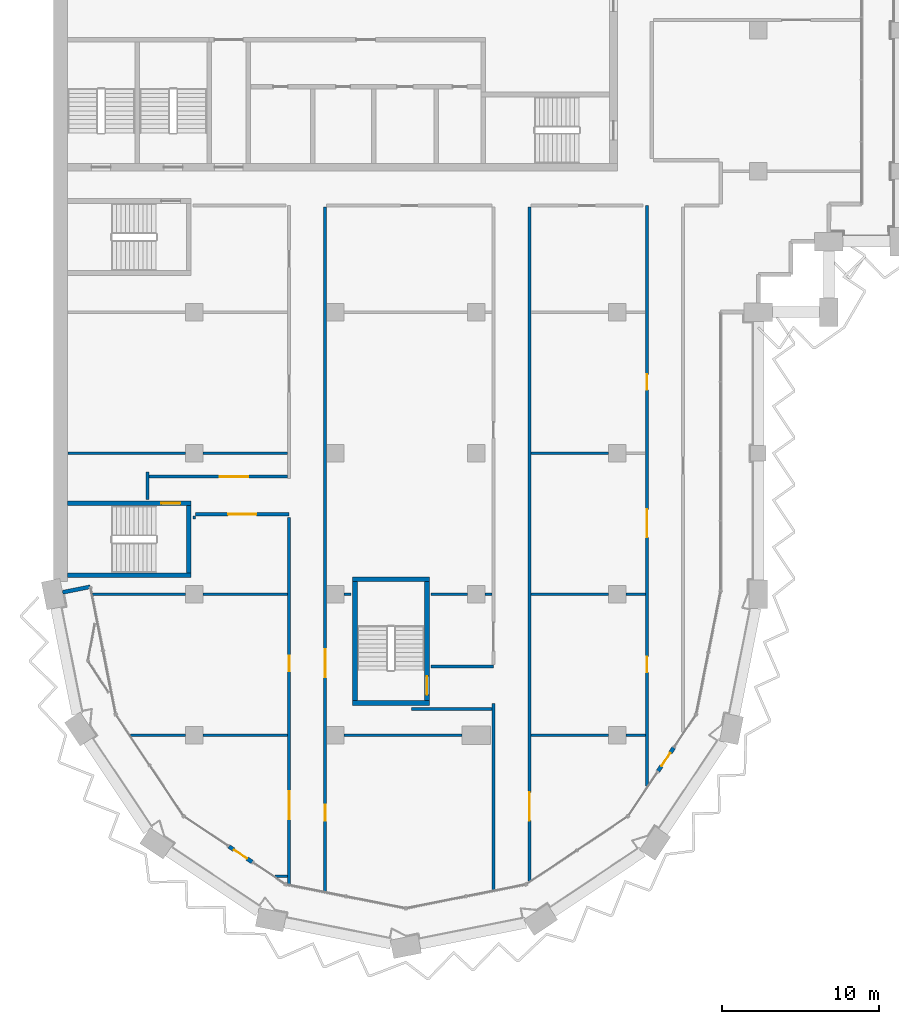
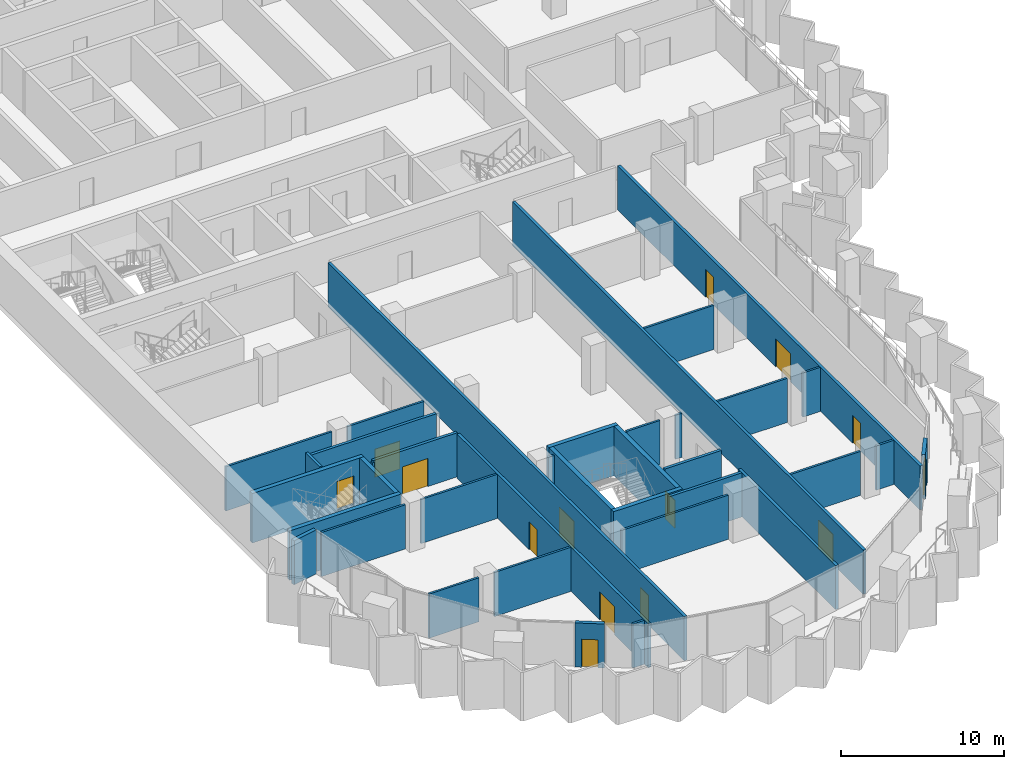
# One storey, part 9 of 19: 37 walls, 14 doors, 14 openings.
"""IFC4 building model written with IfcOpenShell, lengths in metres."""

import ifcopenshell
import ifcopenshell.guid

model = None  # the IFC model being written
_history = None  # IfcOwnerHistory: only IFC2X3 demands one
_inside = {}  # id of a spatial element -> (the spatial element, [elements in it])
_under = {}  # id of a project, library or spatial element -> (it, [spatial elements below it])
_declared = {}  # id of a project -> (the project, [libraries it declares])
_typed = {}  # id of a type object -> (the type object, [elements of that type])
_made_of = {}  # id of a material, layer set ... -> (it, [elements and type objects made of it])


def new_model(schema):
    """Start an empty IFC model of exactly this schema.

    Asked for "IFC4X3", IfcOpenShell would pick the latest addendum, in which some entities
    have other attributes; the version numbers below select the first issue.
    IFC2X3 requires an IfcOwnerHistory on every rooted entity: one is made here for all.
    """
    global model, _history
    if schema == "IFC4X3":
        model = ifcopenshell.file(schema_version=(4, 3, 0, 0))
    else:
        model = ifcopenshell.file(schema=schema)
    _inside.clear()
    _under.clear()
    _declared.clear()
    _typed.clear()
    _made_of.clear()
    _history = None
    if model.schema == "IFC2X3":
        org = make("IfcOrganization", Name="unknown")
        user = make(
            "IfcPersonAndOrganization",
            ThePerson=make("IfcPerson", FamilyName="unknown"),
            TheOrganization=org,
        )
        app = make(
            "IfcApplication",
            ApplicationDeveloper=org,
            Version="unknown",
            ApplicationFullName="unknown",
            ApplicationIdentifier="unknown",
        )
        _history = make(
            "IfcOwnerHistory",
            OwningUser=user,
            OwningApplication=app,
            ChangeAction="ADDED",
            CreationDate=0,
        )
    return model


def make(cls, **values):
    """One entity of the class cls with the attributes given. An attribute that is None is left unset."""
    return model.create_entity(
        cls, **{name: value for name, value in values.items() if value is not None}
    )


def rooted(cls, **values):
    """An entity with a GlobalId (a new one), such as an element, a storey or a relation."""
    return make(cls, GlobalId=ifcopenshell.guid.new(), OwnerHistory=_history, **values)


def si_unit(unit_type, name, prefix=None):
    """IfcSIUnit, for example si_unit("LENGTHUNIT", "METRE", prefix="MILLI")."""
    return make("IfcSIUnit", UnitType=unit_type, Prefix=prefix, Name=name)


def assignment(units):
    """IfcUnitAssignment: the units of a project."""
    return None if units is None else make("IfcUnitAssignment", Units=units)


def point(xyz):
    """IfcCartesianPoint."""
    return None if xyz is None else make("IfcCartesianPoint", Coordinates=xyz)


def direction(xyz):
    """IfcDirection."""
    return None if xyz is None else make("IfcDirection", DirectionRatios=xyz)


def frame(location, z_axis=None, x_axis=None):
    """IfcAxis2Placement3D, a coordinate frame: its origin and axes. An axis left out is left unset."""
    return make(
        "IfcAxis2Placement3D",
        Location=point(location),
        Axis=direction(z_axis),
        RefDirection=direction(x_axis),
    )


def frame_2d(location, x_axis=None):
    """IfcAxis2Placement2D, a coordinate frame in the plane: its origin and x axis."""
    return make(
        "IfcAxis2Placement2D", Location=point(location), RefDirection=direction(x_axis)
    )


def origin():
    """The frame at (0, 0, 0) with its axes left unset."""
    return frame((0.0, 0.0, 0.0))


def place(relative_to, where):
    """IfcLocalPlacement: puts the frame where relative to a parent placement (None: the world)."""
    return make(
        "IfcLocalPlacement", PlacementRelTo=relative_to, RelativePlacement=where
    )


def context(
    kind, dimensions, precision=None, world=None, true_north=None, identifier=None
):
    """IfcGeometricRepresentationContext, for example the 3D "Model" context."""
    return make(
        "IfcGeometricRepresentationContext",
        ContextIdentifier=identifier,
        ContextType=kind,
        CoordinateSpaceDimension=dimensions,
        Precision=precision,
        WorldCoordinateSystem=world,
        TrueNorth=true_north,
    )


def subcontext(parent, identifier, kind, view, scale=None):
    """IfcGeometricRepresentationSubContext, for example "Body" below "Model"."""
    return make(
        "IfcGeometricRepresentationSubContext",
        ContextIdentifier=identifier,
        ContextType=kind,
        ParentContext=parent,
        TargetScale=scale,
        TargetView=view,
    )


def project(units=None, contexts=None):
    """IfcProject with its units and contexts."""
    return rooted(
        "IfcProject",
        Name="project",
        RepresentationContexts=contexts,
        UnitsInContext=assignment(units),
    )


def spatial(cls, under=None, at=None, **own):
    """A site, building, storey or space (cls), placed at a placement, below another one or the project."""
    s = rooted(cls, ObjectPlacement=at, **own)
    if under is not None:
        _under.setdefault(under.id(), (under, []))[1].append(s)
    return s


def profile(cls, at=None, kind="AREA", **sizes):
    """A parametric profile (cls). Its sizes go by their IFC names, for example OverallWidth=200.0."""
    return make(cls, ProfileType=kind, Position=at, **sizes)


def rectangle(**sizes):
    """IfcRectangleProfileDef."""
    return profile("IfcRectangleProfileDef", **sizes)


def extrude(swept, where, along, depth):
    """IfcExtrudedAreaSolid: the profile swept, set in the frame where, extruded along a direction by depth."""
    return make(
        "IfcExtrudedAreaSolid",
        SweptArea=swept,
        Position=where,
        ExtrudedDirection=direction(along),
        Depth=depth,
    )


def shape(context_of_items, identifier, shape_type, items):
    """IfcShapeRepresentation: the items that make up one representation, for example the "Body"."""
    return make(
        "IfcShapeRepresentation",
        ContextOfItems=context_of_items,
        RepresentationIdentifier=identifier,
        RepresentationType=shape_type,
        Items=items,
    )


def material(Name=None, Category=None):
    """IfcMaterial."""
    return make("IfcMaterial", Name=Name, Category=Category)


def layer(
    of_material, thickness, ventilated=None, Name=None, Category=None, Priority=None
):
    """IfcMaterialLayer: one layer of a wall or slab, of a material (None: an air gap)."""
    return make(
        "IfcMaterialLayer",
        Material=of_material,
        LayerThickness=thickness,
        IsVentilated=ventilated,
        Name=Name,
        Category=Category,
        Priority=Priority,
    )


def layer_set(layers, Name=None):
    """IfcMaterialLayerSet."""
    return make("IfcMaterialLayerSet", MaterialLayers=layers, LayerSetName=Name)


def made_of(thing, what):
    """Note that an element or type object is made of a material, layer set ...; save() writes the relation."""
    if what is not None:
        _made_of.setdefault(what.id(), (what, []))[1].append(thing)
    return thing


def type_object(cls, material=None, **own):
    """A type object (cls), such as IfcWallType, which elements share."""
    return made_of(rooted(cls, **own), material)


def element(
    cls,
    number,
    at=None,
    inside=None,
    cuts=None,
    type_object=None,
    material=None,
    context=None,
    identifier="Body",
    shape_type=None,
    held_by="IfcProductDefinitionShape",
    body=None,
    shapes=None,
    **own,
):
    """One element of the class cls, such as IfcWall. Its Tag is "e" and its number.

    at: its placement. inside: the storey or other place that contains it. cuts: it is an
    opening in that element (IfcRelVoidsElement). A single representation is given by context,
    identifier, shape_type and body (its items); several are given by shapes. held_by: the class
    of the entity that holds the representations. save() writes the other relations.
    """
    e = rooted(cls, Tag="e%d" % number, ObjectPlacement=at, **own)
    if body is not None:
        shapes = [shape(context, identifier, shape_type, body)]
    if shapes is not None:
        e.Representation = make(held_by, Representations=shapes)
    if inside is not None:
        _inside.setdefault(inside.id(), (inside, []))[1].append(e)
    if cuts is not None:
        rooted(
            "IfcRelVoidsElement", RelatingBuildingElement=cuts, RelatedOpeningElement=e
        )
    if type_object is not None:
        _typed.setdefault(type_object.id(), (type_object, []))[1].append(e)
    return made_of(e, material)


def fill(opening, filler):
    """IfcRelFillsElement: the door or window that sits in an opening."""
    return rooted(
        "IfcRelFillsElement",
        RelatingOpeningElement=opening,
        RelatedBuildingElement=filler,
    )


def aggregate(whole, parts):
    """IfcRelAggregates: a whole, such as a stair, and the parts it consists of."""
    return rooted("IfcRelAggregates", RelatingObject=whole, RelatedObjects=parts)


def save(model, path):
    """Write the relations noted so far, then the file.

    IfcRelAggregates (storeys below a building ...), IfcRelContainedInSpatialStructure (elements
    in a storey), IfcRelDefinesByType, IfcRelAssociatesMaterial and IfcRelDeclares: one each for
    every whole, place, type object, material and project.
    """
    for whole, parts in _under.values():
        aggregate(whole, parts)
    for where, things in _inside.values():
        rooted(
            "IfcRelContainedInSpatialStructure",
            RelatedElements=things,
            RelatingStructure=where,
        )
    for kind, things in _typed.values():
        rooted("IfcRelDefinesByType", RelatedObjects=things, RelatingType=kind)
    for what, things in _made_of.values():
        rooted("IfcRelAssociatesMaterial", RelatedObjects=things, RelatingMaterial=what)
    for by, libraries in _declared.values():
        rooted("IfcRelDeclares", RelatingContext=by, RelatedDefinitions=libraries)
    model.write(path)


model = new_model("IFC4")

# Units and contexts
model_context = context("Model", 3, precision=1e-05, world=origin(), true_north=direction((0.0, 1.0)))
body_context = subcontext(model_context, "Body", "Model", "MODEL_VIEW")
ifc_project = project(units=[si_unit("LENGTHUNIT", "METRE"), si_unit("AREAUNIT", "SQUARE_METRE"), si_unit("VOLUMEUNIT", "CUBIC_METRE"), si_unit("PLANEANGLEUNIT", "RADIAN"), si_unit("MASSUNIT", "GRAM", prefix="KILO")], contexts=[model_context])

# Site, building, storey
site_placement = place(None, origin())
site = spatial("IfcSite", under=ifc_project, at=site_placement, CompositionType="ELEMENT")
building_placement = place(site_placement, origin())
building = spatial("IfcBuilding", under=site, at=building_placement, Name="Hunhe Ridgeline Campus", CompositionType="ELEMENT")
storey_placement = place(building_placement, frame((0.0, 0.0, 219.800048828125)))
storey = spatial("IfcBuildingStorey", under=building, at=storey_placement, Name="L56", CompositionType="ELEMENT", Elevation=219.800048828125)

# Walls
ifc_material_1 = material(Name="Concrete C30", Category="concrete")
ifc_layer_1 = layer(ifc_material_1, 0.25)
ifc_layer_set_1 = layer_set([ifc_layer_1], Name="Corner return wall 250 Concrete C30")
wall_type_1 = type_object("IfcWallType", Name="Corner return wall 250 Concrete C30", PredefinedType="SOLIDWALL", material=ifc_layer_set_1)
wall_1_placement = place(storey_placement, frame((0.58837890625, 36.117919921875, 0.0), z_axis=(0.0, 0.0, 1.0), x_axis=(0.980840518545, 0.194812415363, 0.0)))
element("IfcWall", 1, at=wall_1_placement, inside=storey, type_object=wall_type_1, Name="Corner return wall 1", PredefinedType="SOLIDWALL", context=body_context, shape_type="SweptSolid", body=[
    extrude(rectangle(XDim=1.80078125, YDim=0.25, at=frame_2d((0.900390625, 0.0))), origin(), (0.0, 0.0, 1.0), 3.300048828125),
])
ifc_material_2 = material(Name="Gypsum board partition")
ifc_layer_2 = layer(ifc_material_2, 0.199951171875)
ifc_layer_set_2 = layer_set([ifc_layer_2], Name="Corridor partition 200 gypsum board on steel studs")
wall_type_2 = type_object("IfcWallType", Name="Corridor partition 200 gypsum board on steel studs", PredefinedType="PARTITIONING", material=ifc_layer_set_2)
wall_2_placement = place(storey_placement, frame((28.0, 28.675048828125, 0.0), z_axis=(0.0, 0.0, 1.0), x_axis=(-1.0, 0.0, 0.0)))
element("IfcWall", 2, at=wall_2_placement, inside=storey, type_object=wall_type_2, Name="F-L56-wall-007", PredefinedType="PARTITIONING", context=body_context, shape_type="SweptSolid", body=[
    extrude(rectangle(XDim=5.14990234375, YDim=0.199951171875, at=frame_2d((2.574951171875, 0.0))), origin(), (0.0, 0.0, 1.0), 3.300048828125),
])
wall_3_placement = place(storey_placement, frame((24.10400390625, 31.375, 0.0), z_axis=(0.0, 0.0, 1.0), x_axis=(1.0, 0.0, 0.0)))
element("IfcWall", 3, at=wall_3_placement, inside=storey, type_object=wall_type_2, Name="F-L56-wall-008", PredefinedType="PARTITIONING", context=body_context, shape_type="SweptSolid", body=[
    extrude(rectangle(XDim=3.99609375, YDim=0.199951171875, at=frame_2d((1.998046875, 0.0))), origin(), (0.0, 0.0, 1.0), 3.300048828125),
])

# Wall, opening, door
wall_4_placement = place(storey_placement, frame((15.050048828125, 41.10009765625, 0.0), z_axis=(0.0, 0.0, 1.0), x_axis=(-1.0, 0.0, 0.0)))
wall_4 = element("IfcWall", 4, at=wall_4_placement, inside=storey, type_object=wall_type_2, Name="F-L56-wall-016", PredefinedType="PARTITIONING", context=body_context, shape_type="SweptSolid", body=[
    extrude(rectangle(XDim=5.97509765625, YDim=0.199951171875, at=frame_2d((2.987548828125, 0.0))), origin(), (0.0, 0.0, 1.0), 3.300048828125),
])
opening_1_placement = place(wall_4_placement, frame((2.08740234375, 0.0, 0.0)))
opening_1 = element("IfcOpeningElement", 5, at=opening_1_placement, cuts=wall_4, Name="Opening RD2-009", PredefinedType="OPENING", context=body_context, shape_type="SweptSolid", body=[
    extrude(rectangle(XDim=1.800048828125, YDim=2.10009765625, at=frame_2d((0.89990234375, 1.050048828125))), frame((0.0, 0.10009765625, 0.0), z_axis=(0.0, -1.0, 0.0), x_axis=(1.0, 0.0, 0.0)), (0.0, 0.0, 1.0), 0.199951171875),
])
ifc_material_3 = material(Name="Timber door leaf", Category="wood")
door_type_1 = type_object("IfcDoorType", Name="Double fire door 1800x2100 timber FD60", OperationType="DOUBLE_DOOR_SINGLE_SWING", PredefinedType="DOOR", material=ifc_material_3)
door_1_placement = place(opening_1_placement, origin())
door_1 = element("IfcDoor", 6, at=door_1_placement, inside=storey, type_object=door_type_1, Name="F-L56-door-009", OperationType="DOUBLE_DOOR_SINGLE_SWING", OverallHeight=2.10009765625, OverallWidth=1.800048828125, PredefinedType="DOOR", context=body_context, shape_type="SweptSolid", body=[
    extrude(rectangle(XDim=1.800048828125, YDim=2.10009765625, at=frame_2d((0.89990234375, 1.050048828125))), frame((0.0, 0.02490234375, 0.0), z_axis=(0.0, -1.0, 0.0), x_axis=(1.0, 0.0, 0.0)), (0.0, 0.0, 1.0), 0.050048828125),
])
fill(opening_1, door_1)

wall_5_placement = place(storey_placement, frame((6.10009765625, 43.5, 0.0), z_axis=(0.0, 0.0, 1.0), x_axis=(1.0, 0.0, 0.0)))
wall_5 = element("IfcWall", 7, at=wall_5_placement, inside=storey, type_object=wall_type_2, Name="F-L56-wall-017", PredefinedType="PARTITIONING", context=body_context, shape_type="SweptSolid", body=[
    extrude(rectangle(XDim=8.849853515625, YDim=0.199951171875, at=frame_2d((4.4248046875, 0.0))), origin(), (0.0, 0.0, 1.0), 3.300048828125),
])
opening_2_placement = place(wall_5_placement, frame((4.52490234375, 0.0, 0.0)))
opening_2 = element("IfcOpeningElement", 8, at=opening_2_placement, cuts=wall_5, Name="Opening RD2-010", PredefinedType="OPENING", context=body_context, shape_type="SweptSolid", body=[
    extrude(rectangle(XDim=1.800048828125, YDim=2.10009765625, at=frame_2d((0.89990234375, 1.050048828125))), frame((0.0, 0.10009765625, 0.0), z_axis=(0.0, -1.0, 0.0), x_axis=(1.0, 0.0, 0.0)), (0.0, 0.0, 1.0), 0.199951171875),
])
door_2_placement = place(opening_2_placement, origin())
door_2 = element("IfcDoor", 9, at=door_2_placement, inside=storey, type_object=door_type_1, Name="F-L56-door-010", OperationType="DOUBLE_DOOR_SINGLE_SWING", OverallHeight=2.10009765625, OverallWidth=1.800048828125, PredefinedType="DOOR", context=body_context, shape_type="SweptSolid", body=[
    extrude(rectangle(XDim=1.800048828125, YDim=2.10009765625, at=frame_2d((0.89990234375, 1.050048828125))), frame((0.0, 0.02490234375, 0.0), z_axis=(0.0, -1.0, 0.0), x_axis=(1.0, 0.0, 0.0)), (0.0, 0.0, 1.0), 0.050048828125),
])
fill(opening_2, door_2)

# Wall
wall_6_placement = place(storey_placement, frame((6.0, 42.053955078125, 0.0), z_axis=(0.0, 0.0, 1.0), x_axis=(0.0, 1.0, 0.0)))
element("IfcWall", 10, at=wall_6_placement, inside=storey, type_object=wall_type_2, Name="F-L56-wall-038", PredefinedType="PARTITIONING", context=body_context, shape_type="SweptSolid", body=[
    extrude(rectangle(XDim=1.74609375, YDim=0.199951171875, at=frame_2d((0.873046875, 0.0))), origin(), (0.0, 0.0, 1.0), 3.300048828125),
])

# Wall, openings, doors
wall_7_placement = place(storey_placement, frame((15.050048828125, 17.485107421875, 0.0), z_axis=(0.0, 0.0, 1.0), x_axis=(0.0, 1.0, 0.0)))
wall_7 = element("IfcWall", 11, at=wall_7_placement, inside=storey, type_object=wall_type_2, Name="F-L56-wall-040", PredefinedType="PARTITIONING", context=body_context, shape_type="SweptSolid", body=[
    extrude(rectangle(XDim=23.39990234375, YDim=0.199951171875, at=frame_2d((11.699951171875, 0.0))), origin(), (0.0, 0.0, 1.0), 3.300048828125),
])
opening_3_placement = place(wall_7_placement, frame((4.13232421875, 0.0, 0.0)))
opening_3 = element("IfcOpeningElement", 12, at=opening_3_placement, cuts=wall_7, Name="Opening RD2-003", PredefinedType="OPENING", context=body_context, shape_type="SweptSolid", body=[
    extrude(rectangle(XDim=1.800048828125, YDim=2.10009765625, at=frame_2d((0.89990234375, 1.050048828125))), frame((0.0, 0.10009765625, 0.0), z_axis=(0.0, -1.0, 0.0), x_axis=(1.0, 0.0, 0.0)), (0.0, 0.0, 1.0), 0.199951171875),
])
opening_4_placement = place(wall_7_placement, frame((13.59033203125, 0.0, 0.0)))
opening_4 = element("IfcOpeningElement", 13, at=opening_4_placement, cuts=wall_7, Name="Opening RD1-005", PredefinedType="OPENING", context=body_context, shape_type="SweptSolid", body=[
    extrude(rectangle(XDim=1.0, YDim=2.10009765625, at=frame_2d((0.5, 1.050048828125))), frame((0.0, 0.10009765625, 0.0), z_axis=(0.0, -1.0, 0.0), x_axis=(1.0, 0.0, 0.0)), (0.0, 0.0, 1.0), 0.199951171875),
])
door_3_placement = place(opening_3_placement, origin())
door_3 = element("IfcDoor", 14, at=door_3_placement, inside=storey, type_object=door_type_1, Name="F-L56-door-003", OperationType="DOUBLE_DOOR_SINGLE_SWING", OverallHeight=2.10009765625, OverallWidth=1.800048828125, PredefinedType="DOOR", context=body_context, shape_type="SweptSolid", body=[
    extrude(rectangle(XDim=1.800048828125, YDim=2.10009765625, at=frame_2d((0.89990234375, 1.050048828125))), frame((0.0, 0.02490234375, 0.0), z_axis=(0.0, -1.0, 0.0), x_axis=(1.0, 0.0, 0.0)), (0.0, 0.0, 1.0), 0.050048828125),
])
fill(opening_3, door_3)
door_type_2 = type_object("IfcDoorType", Name="Single fire door 1000x2100 timber FD60", OperationType="NOTDEFINED", PredefinedType="DOOR", material=ifc_material_3)
door_4_placement = place(opening_4_placement, origin())
door_4 = element("IfcDoor", 15, at=door_4_placement, inside=storey, type_object=door_type_2, Name="F-L56-door-005", OperationType="SINGLE_SWING_RIGHT", OverallHeight=2.10009765625, OverallWidth=1.0, PredefinedType="DOOR", context=body_context, shape_type="SweptSolid", body=[
    extrude(rectangle(XDim=1.0, YDim=2.10009765625, at=frame_2d((0.5, 1.050048828125))), frame((0.0, 0.02490234375, 0.0), z_axis=(0.0, -1.0, 0.0), x_axis=(1.0, 0.0, 0.0)), (0.0, 0.0, 1.0), 0.050048828125),
])
fill(opening_4, door_4)

wall_8_placement = place(storey_placement, frame((17.35009765625, 60.699951171875, 0.0), z_axis=(0.0, 0.0, 1.0), x_axis=(0.0, -1.0, 0.0)))
wall_8 = element("IfcWall", 16, at=wall_8_placement, inside=storey, type_object=wall_type_2, Name="F-L56-wall-042", PredefinedType="PARTITIONING", context=body_context, shape_type="SweptSolid", body=[
    extrude(rectangle(XDim=43.67236328125, YDim=0.199951171875, at=frame_2d((21.836181640625, 0.0))), origin(), (0.0, 0.0, 1.0), 3.300048828125),
])
opening_5_placement = place(wall_8_placement, frame((38.152587890625, 0.0, 0.0)))
opening_5 = element("IfcOpeningElement", 17, at=opening_5_placement, cuts=wall_8, Name="Opening RD1-001", PredefinedType="OPENING", context=body_context, shape_type="SweptSolid", body=[
    extrude(rectangle(XDim=1.0, YDim=2.10009765625, at=frame_2d((0.5, 1.050048828125))), frame((0.0, 0.10009765625, 0.0), z_axis=(0.0, -1.0, 0.0), x_axis=(1.0, 0.0, 0.0)), (0.0, 0.0, 1.0), 0.199951171875),
])
opening_6_placement = place(wall_8_placement, frame((28.215087890625, 0.0, 0.0)))
opening_6 = element("IfcOpeningElement", 18, at=opening_6_placement, cuts=wall_8, Name="Opening RD2-006", PredefinedType="OPENING", context=body_context, shape_type="SweptSolid", body=[
    extrude(rectangle(XDim=1.800048828125, YDim=2.10009765625, at=frame_2d((0.89990234375, 1.050048828125))), frame((0.0, 0.10009765625, 0.0), z_axis=(0.0, -1.0, 0.0), x_axis=(1.0, 0.0, 0.0)), (0.0, 0.0, 1.0), 0.199951171875),
])
door_5_placement = place(opening_6_placement, origin())
door_5 = element("IfcDoor", 19, at=door_5_placement, inside=storey, type_object=door_type_1, Name="F-L56-door-006", OperationType="DOUBLE_DOOR_SINGLE_SWING", OverallHeight=2.10009765625, OverallWidth=1.800048828125, PredefinedType="DOOR", context=body_context, shape_type="SweptSolid", body=[
    extrude(rectangle(XDim=1.800048828125, YDim=2.10009765625, at=frame_2d((0.89990234375, 1.050048828125))), frame((0.0, 0.02490234375, 0.0), z_axis=(0.0, -1.0, 0.0), x_axis=(1.0, 0.0, 0.0)), (0.0, 0.0, 1.0), 0.050048828125),
])
fill(opening_6, door_5)
door_6_placement = place(opening_5_placement, origin())
door_6 = element("IfcDoor", 20, at=door_6_placement, inside=storey, type_object=door_type_2, Name="F-L56-door-001", OperationType="SINGLE_SWING_LEFT", OverallHeight=2.10009765625, OverallWidth=1.0, PredefinedType="DOOR", context=body_context, shape_type="SweptSolid", body=[
    extrude(rectangle(XDim=1.0, YDim=2.10009765625, at=frame_2d((0.5, 1.050048828125))), frame((0.0, 0.02490234375, 0.0), z_axis=(0.0, -1.0, 0.0), x_axis=(1.0, 0.0, 0.0)), (0.0, 0.0, 1.0), 0.050048828125),
])
fill(opening_5, door_6)

# Wall
wall_9_placement = place(storey_placement, frame((28.10009765625, 17.116943359375, 0.0), z_axis=(0.0, 0.0, 1.0), x_axis=(0.0, 1.0, 0.0)))
element("IfcWall", 21, at=wall_9_placement, inside=storey, type_object=wall_type_2, Name="F-L56-wall-043", PredefinedType="PARTITIONING", context=body_context, shape_type="SweptSolid", body=[
    extrude(rectangle(XDim=11.91357421875, YDim=0.199951171875, at=frame_2d((5.956787109375, 0.0))), origin(), (0.0, 0.0, 1.0), 3.300048828125),
])

# Wall, opening, door
wall_10_placement = place(storey_placement, frame((30.39990234375, 60.699951171875, 0.0), z_axis=(0.0, 0.0, 1.0), x_axis=(0.0, -1.0, 0.0)))
wall_10 = element("IfcWall", 22, at=wall_10_placement, inside=storey, type_object=wall_type_2, Name="F-L56-wall-045", PredefinedType="PARTITIONING", context=body_context, shape_type="SweptSolid", body=[
    extrude(rectangle(XDim=43.00927734375, YDim=0.199951171875, at=frame_2d((21.504638671875, 0.0))), origin(), (0.0, 0.0, 1.0), 3.300048828125),
])
opening_7_placement = place(wall_10_placement, frame((37.3583984375, 0.0, 0.0)))
opening_7 = element("IfcOpeningElement", 23, at=opening_7_placement, cuts=wall_10, Name="Opening RD2-002", PredefinedType="OPENING", context=body_context, shape_type="SweptSolid", body=[
    extrude(rectangle(XDim=1.800048828125, YDim=2.10009765625, at=frame_2d((0.89990234375, 1.050048828125))), frame((0.0, 0.10009765625, 0.0), z_axis=(0.0, -1.0, 0.0), x_axis=(1.0, 0.0, 0.0)), (0.0, 0.0, 1.0), 0.199951171875),
])
door_7_placement = place(opening_7_placement, origin())
door_7 = element("IfcDoor", 24, at=door_7_placement, inside=storey, type_object=door_type_1, Name="F-L56-door-002", OperationType="DOUBLE_DOOR_SINGLE_SWING", OverallHeight=2.10009765625, OverallWidth=1.800048828125, PredefinedType="DOOR", context=body_context, shape_type="SweptSolid", body=[
    extrude(rectangle(XDim=1.800048828125, YDim=2.10009765625, at=frame_2d((0.89990234375, 1.050048828125))), frame((0.0, 0.02490234375, 0.0), z_axis=(0.0, -1.0, 0.0), x_axis=(1.0, 0.0, 0.0)), (0.0, 0.0, 1.0), 0.050048828125),
])
fill(opening_7, door_7)

# Wall, openings, doors
wall_11_placement = place(storey_placement, frame((37.89990234375, 23.745849609375, 0.0), z_axis=(0.0, 0.0, 1.0), x_axis=(0.0, 1.0, 0.0)))
wall_11 = element("IfcWall", 25, at=wall_11_placement, inside=storey, type_object=wall_type_2, Name="F-L56-wall-046", PredefinedType="PARTITIONING", context=body_context, shape_type="SweptSolid", body=[
    extrude(rectangle(XDim=37.05419921875, YDim=0.199951171875, at=frame_2d((18.527099609375, 0.0))), origin(), (0.0, 0.0, 1.0), 3.300048828125),
])
opening_8_placement = place(wall_11_placement, frame((7.26123046875, 0.0, 0.0)))
opening_8 = element("IfcOpeningElement", 26, at=opening_8_placement, cuts=wall_11, Name="Opening RD1-004", PredefinedType="OPENING", context=body_context, shape_type="SweptSolid", body=[
    extrude(rectangle(XDim=1.0, YDim=2.10009765625, at=frame_2d((0.5, 1.050048828125))), frame((0.0, 0.10009765625, 0.0), z_axis=(0.0, -1.0, 0.0), x_axis=(1.0, 0.0, 0.0)), (0.0, 0.0, 1.0), 0.199951171875),
])
opening_9_placement = place(wall_11_placement, frame((15.87451171875, 0.0, 0.0)))
opening_9 = element("IfcOpeningElement", 27, at=opening_9_placement, cuts=wall_11, Name="Opening RD2-008", PredefinedType="OPENING", context=body_context, shape_type="SweptSolid", body=[
    extrude(rectangle(XDim=1.800048828125, YDim=2.10009765625, at=frame_2d((0.89990234375, 1.050048828125))), frame((0.0, 0.10009765625, 0.0), z_axis=(0.0, -1.0, 0.0), x_axis=(1.0, 0.0, 0.0)), (0.0, 0.0, 1.0), 0.199951171875),
])
opening_10_placement = place(wall_11_placement, frame((25.28759765625, 0.0, 0.0)))
opening_10 = element("IfcOpeningElement", 28, at=opening_10_placement, cuts=wall_11, Name="Opening RD1-014", PredefinedType="OPENING", context=body_context, shape_type="SweptSolid", body=[
    extrude(rectangle(XDim=1.0, YDim=2.10009765625, at=frame_2d((0.5, 1.050048828125))), frame((0.0, 0.10009765625, 0.0), z_axis=(0.0, -1.0, 0.0), x_axis=(1.0, 0.0, 0.0)), (0.0, 0.0, 1.0), 0.199951171875),
])
door_8_placement = place(opening_9_placement, origin())
door_8 = element("IfcDoor", 29, at=door_8_placement, inside=storey, type_object=door_type_1, Name="F-L56-door-008", OperationType="DOUBLE_DOOR_SINGLE_SWING", OverallHeight=2.10009765625, OverallWidth=1.800048828125, PredefinedType="DOOR", context=body_context, shape_type="SweptSolid", body=[
    extrude(rectangle(XDim=1.800048828125, YDim=2.10009765625, at=frame_2d((0.89990234375, 1.050048828125))), frame((0.0, 0.02490234375, 0.0), z_axis=(0.0, -1.0, 0.0), x_axis=(1.0, 0.0, 0.0)), (0.0, 0.0, 1.0), 0.050048828125),
])
fill(opening_9, door_8)
door_9_placement = place(opening_8_placement, origin())
door_9 = element("IfcDoor", 30, at=door_9_placement, inside=storey, type_object=door_type_2, Name="F-L56-door-004", OperationType="SINGLE_SWING_RIGHT", OverallHeight=2.10009765625, OverallWidth=1.0, PredefinedType="DOOR", context=body_context, shape_type="SweptSolid", body=[
    extrude(rectangle(XDim=1.0, YDim=2.10009765625, at=frame_2d((0.5, 1.050048828125))), frame((0.0, 0.02490234375, 0.0), z_axis=(0.0, -1.0, 0.0), x_axis=(1.0, 0.0, 0.0)), (0.0, 0.0, 1.0), 0.050048828125),
])
fill(opening_8, door_9)
door_10_placement = place(opening_10_placement, origin())
door_10 = element("IfcDoor", 31, at=door_10_placement, inside=storey, type_object=door_type_2, Name="F-L56-door-014", OperationType="SINGLE_SWING_RIGHT", OverallHeight=2.10009765625, OverallWidth=1.0, PredefinedType="DOOR", context=body_context, shape_type="SweptSolid", body=[
    extrude(rectangle(XDim=1.0, YDim=2.10009765625, at=frame_2d((0.5, 1.050048828125))), frame((0.0, 0.02490234375, 0.0), z_axis=(0.0, -1.0, 0.0), x_axis=(1.0, 0.0, 0.0)), (0.0, 0.0, 1.0), 0.050048828125),
])
fill(opening_10, door_10)

# Wall, opening, door
ifc_layer_3 = layer(ifc_material_1, 0.25)
ifc_layer_set_3 = layer_set([ifc_layer_3], Name="Loggia door pier wall 250 Concrete C30")
wall_type_3 = type_object("IfcWallType", Name="Loggia door pier wall 250 Concrete C30", PredefinedType="SOLIDWALL", material=ifc_layer_set_3)
wall_12_placement = place(storey_placement, frame((11.19970703125, 19.897705078125, 0.0), z_axis=(0.0, 0.0, 1.0), x_axis=(0.83146554274, -0.555576323502, 0.0)))
wall_12 = element("IfcWall", 32, at=wall_12_placement, inside=storey, type_object=wall_type_3, Name="Loggia door pier 1", PredefinedType="SOLIDWALL", context=body_context, shape_type="SweptSolid", body=[
    extrude(rectangle(XDim=1.800048828125, YDim=0.25, at=frame_2d((0.89990234375, 0.0))), origin(), (0.0, 0.0, 1.0), 3.300048828125),
])
opening_11_placement = place(wall_12_placement, frame((0.39990234375, 0.0, 0.0)))
opening_11 = element("IfcOpeningElement", 33, at=opening_11_placement, cuts=wall_12, Name="Opening BD402", PredefinedType="OPENING", context=body_context, shape_type="SweptSolid", body=[
    extrude(rectangle(XDim=1.0, YDim=2.10009765625, at=frame_2d((0.5, 1.050048828125))), frame((0.0, 0.125, 0.0), z_axis=(0.0, -1.0, 0.0), x_axis=(1.0, 0.0, 0.0)), (0.0, 0.0, 1.0), 0.25),
])
ifc_material_4 = material(Name="Aluminium 6063", Category="aluminium")
door_type_3 = type_object("IfcDoorType", Name="Loggia glazed door 1000x2100", OperationType="NOTDEFINED", PredefinedType="DOOR", material=ifc_material_4)
door_11_placement = place(opening_11_placement, frame((1.0, 0.0, 0.0), z_axis=(0.0, 0.0, 1.0), x_axis=(-1.0, 0.0, 0.0)))
door_11 = element("IfcDoor", 34, at=door_11_placement, inside=storey, type_object=door_type_3, Name="Loggia door BD402", OperationType="SINGLE_SWING_LEFT", OverallHeight=2.10009765625, OverallWidth=1.0, PredefinedType="DOOR", context=body_context, shape_type="SweptSolid", body=[
    extrude(rectangle(XDim=1.0, YDim=2.10009765625, at=frame_2d((0.5, 1.050048828125))), frame((0.0, 0.02490234375, 0.0), z_axis=(0.0, -1.0, 0.0), x_axis=(1.0, 0.0, 0.0)), (0.0, 0.0, 1.0), 0.050048828125),
])
fill(opening_11, door_11)

wall_13_placement = place(storey_placement, frame((38.602294921875, 24.69970703125, 0.0), z_axis=(0.0, 0.0, 1.0), x_axis=(0.555576323502, 0.83146554274, 0.0)))
wall_13 = element("IfcWall", 35, at=wall_13_placement, inside=storey, type_object=wall_type_3, Name="Loggia door pier 2", PredefinedType="SOLIDWALL", context=body_context, shape_type="SweptSolid", body=[
    extrude(rectangle(XDim=1.800048828125, YDim=0.25, at=frame_2d((0.89990234375, 0.0))), origin(), (0.0, 0.0, 1.0), 3.300048828125),
])
opening_12_placement = place(wall_13_placement, frame((0.39990234375, 0.0, 0.0)))
opening_12 = element("IfcOpeningElement", 36, at=opening_12_placement, cuts=wall_13, Name="Opening BD404", PredefinedType="OPENING", context=body_context, shape_type="SweptSolid", body=[
    extrude(rectangle(XDim=1.0, YDim=2.10009765625, at=frame_2d((0.5, 1.050048828125))), frame((0.0, 0.125, 0.0), z_axis=(0.0, -1.0, 0.0), x_axis=(1.0, 0.0, 0.0)), (0.0, 0.0, 1.0), 0.25),
])
door_12_placement = place(opening_12_placement, frame((1.0, 0.0, 0.0), z_axis=(0.0, 0.0, 1.0), x_axis=(-1.0, 0.0, 0.0)))
door_12 = element("IfcDoor", 37, at=door_12_placement, inside=storey, type_object=door_type_3, Name="Loggia door BD404", OperationType="SINGLE_SWING_LEFT", OverallHeight=2.10009765625, OverallWidth=1.0, PredefinedType="DOOR", context=body_context, shape_type="SweptSolid", body=[
    extrude(rectangle(XDim=1.0, YDim=2.10009765625, at=frame_2d((0.5, 1.050048828125))), frame((0.0, 0.02490234375, 0.0), z_axis=(0.0, -1.0, 0.0), x_axis=(1.0, 0.0, 0.0)), (0.0, 0.0, 1.0), 0.050048828125),
])
fill(opening_12, door_12)

# Walls
ifc_layer_4 = layer(ifc_material_2, 0.14990234375)
ifc_layer_set_4 = layer_set([ifc_layer_4], Name="Room partition 150 gypsum board on steel studs")
wall_type_4 = type_object("IfcWallType", Name="Room partition 150 gypsum board on steel studs", PredefinedType="PARTITIONING", material=ifc_layer_set_4)
wall_14_placement = place(storey_placement, frame((14.136962890625, 18.0, 0.0), z_axis=(0.0, 0.0, 1.0), x_axis=(1.0, 0.0, 0.0)))
element("IfcWall", 38, at=wall_14_placement, inside=storey, type_object=wall_type_4, Name="F-L56-wall-001", PredefinedType="PARTITIONING", context=body_context, shape_type="SweptSolid", body=[
    extrude(rectangle(XDim=0.81298828125, YDim=0.14990234375, at=frame_2d((0.406494140625, 0.0))), origin(), (0.0, 0.0, 1.0), 3.300048828125),
])
wall_15_placement = place(storey_placement, frame((4.925537109375, 27.0, 0.0), z_axis=(0.0, 0.0, 1.0), x_axis=(1.0, 0.0, 0.0)))
element("IfcWall", 39, at=wall_15_placement, inside=storey, type_object=wall_type_4, Name="F-L56-wall-002", PredefinedType="PARTITIONING", context=body_context, shape_type="SweptSolid", body=[
    extrude(rectangle(XDim=3.5244140625, YDim=0.14990234375, at=frame_2d((1.76220703125, 0.0))), origin(), (0.0, 0.0, 1.0), 3.300048828125),
])
wall_16_placement = place(storey_placement, frame((9.550048828125, 27.0, 0.0), z_axis=(0.0, 0.0, 1.0), x_axis=(1.0, 0.0, 0.0)))
element("IfcWall", 40, at=wall_16_placement, inside=storey, type_object=wall_type_4, Name="F-L56-wall-003", PredefinedType="PARTITIONING", context=body_context, shape_type="SweptSolid", body=[
    extrude(rectangle(XDim=5.39990234375, YDim=0.14990234375, at=frame_2d((2.699951171875, 0.0))), origin(), (0.0, 0.0, 1.0), 3.300048828125),
])
wall_17_placement = place(storey_placement, frame((18.550048828125, 27.0, 0.0), z_axis=(0.0, 0.0, 1.0), x_axis=(1.0, 0.0, 0.0)))
element("IfcWall", 41, at=wall_17_placement, inside=storey, type_object=wall_type_4, Name="F-L56-wall-004", PredefinedType="PARTITIONING", context=body_context, shape_type="SweptSolid", body=[
    extrude(rectangle(XDim=7.550048828125, YDim=0.14990234375, at=frame_2d((3.77490234375, 0.0))), origin(), (0.0, 0.0, 1.0), 3.300048828125),
])
wall_18_placement = place(storey_placement, frame((30.5, 27.0, 0.0), z_axis=(0.0, 0.0, 1.0), x_axis=(1.0, 0.0, 0.0)))
element("IfcWall", 42, at=wall_18_placement, inside=storey, type_object=wall_type_4, Name="F-L56-wall-005", PredefinedType="PARTITIONING", context=body_context, shape_type="SweptSolid", body=[
    extrude(rectangle(XDim=4.949951171875, YDim=0.14990234375, at=frame_2d((2.47509765625, 0.0))), origin(), (0.0, 0.0, 1.0), 3.300048828125),
])
wall_19_placement = place(storey_placement, frame((36.550048828125, 27.0, 0.0), z_axis=(0.0, 0.0, 1.0), x_axis=(1.0, 0.0, 0.0)))
element("IfcWall", 43, at=wall_19_placement, inside=storey, type_object=wall_type_4, Name="F-L56-wall-006", PredefinedType="PARTITIONING", context=body_context, shape_type="SweptSolid", body=[
    extrude(rectangle(XDim=1.25, YDim=0.14990234375, at=frame_2d((0.625, 0.0))), origin(), (0.0, 0.0, 1.0), 3.300048828125),
])
wall_20_placement = place(storey_placement, frame((2.503173828125, 36.0, 0.0), z_axis=(0.0, 0.0, 1.0), x_axis=(1.0, 0.0, 0.0)))
element("IfcWall", 44, at=wall_20_placement, inside=storey, type_object=wall_type_4, Name="F-L56-wall-009", PredefinedType="PARTITIONING", context=body_context, shape_type="SweptSolid", body=[
    extrude(rectangle(XDim=5.94677734375, YDim=0.14990234375, at=frame_2d((2.973388671875, 0.0))), origin(), (0.0, 0.0, 1.0), 3.300048828125),
])
wall_21_placement = place(storey_placement, frame((9.550048828125, 36.0, 0.0), z_axis=(0.0, 0.0, 1.0), x_axis=(1.0, 0.0, 0.0)))
element("IfcWall", 45, at=wall_21_placement, inside=storey, type_object=wall_type_4, Name="F-L56-wall-010", PredefinedType="PARTITIONING", context=body_context, shape_type="SweptSolid", body=[
    extrude(rectangle(XDim=5.39990234375, YDim=0.14990234375, at=frame_2d((2.699951171875, 0.0))), origin(), (0.0, 0.0, 1.0), 3.300048828125),
])
wall_22_placement = place(storey_placement, frame((18.550048828125, 36.0, 0.0), z_axis=(0.0, 0.0, 1.0), x_axis=(1.0, 0.0, 0.0)))
element("IfcWall", 46, at=wall_22_placement, inside=storey, type_object=wall_type_4, Name="F-L56-wall-011", PredefinedType="PARTITIONING", context=body_context, shape_type="SweptSolid", body=[
    extrude(rectangle(XDim=0.446044921875, YDim=0.14990234375, at=frame_2d((0.22314453125, 0.0))), origin(), (0.0, 0.0, 1.0), 3.300048828125),
])
wall_23_placement = place(storey_placement, frame((24.10400390625, 36.0, 0.0), z_axis=(0.0, 0.0, 1.0), x_axis=(1.0, 0.0, 0.0)))
element("IfcWall", 47, at=wall_23_placement, inside=storey, type_object=wall_type_4, Name="F-L56-wall-012", PredefinedType="PARTITIONING", context=body_context, shape_type="SweptSolid", body=[
    extrude(rectangle(XDim=2.345947265625, YDim=0.14990234375, at=frame_2d((1.1728515625, 0.0))), origin(), (0.0, 0.0, 1.0), 3.300048828125),
])
wall_24_placement = place(storey_placement, frame((27.550048828125, 36.0, 0.0), z_axis=(0.0, 0.0, 1.0), x_axis=(1.0, 0.0, 0.0)))
element("IfcWall", 48, at=wall_24_placement, inside=storey, type_object=wall_type_4, Name="F-L56-wall-013", PredefinedType="PARTITIONING", context=body_context, shape_type="SweptSolid", body=[
    extrude(rectangle(XDim=0.449951171875, YDim=0.14990234375, at=frame_2d((0.22509765625, 0.0))), origin(), (0.0, 0.0, 1.0), 3.300048828125),
])
wall_25_placement = place(storey_placement, frame((30.5, 36.0, 0.0), z_axis=(0.0, 0.0, 1.0), x_axis=(1.0, 0.0, 0.0)))
element("IfcWall", 49, at=wall_25_placement, inside=storey, type_object=wall_type_4, Name="F-L56-wall-014", PredefinedType="PARTITIONING", context=body_context, shape_type="SweptSolid", body=[
    extrude(rectangle(XDim=4.949951171875, YDim=0.14990234375, at=frame_2d((2.47509765625, 0.0))), origin(), (0.0, 0.0, 1.0), 3.300048828125),
])
wall_26_placement = place(storey_placement, frame((36.550048828125, 36.0, 0.0), z_axis=(0.0, 0.0, 1.0), x_axis=(1.0, 0.0, 0.0)))
element("IfcWall", 50, at=wall_26_placement, inside=storey, type_object=wall_type_4, Name="F-L56-wall-015", PredefinedType="PARTITIONING", context=body_context, shape_type="SweptSolid", body=[
    extrude(rectangle(XDim=1.25, YDim=0.14990234375, at=frame_2d((0.625, 0.0))), origin(), (0.0, 0.0, 1.0), 3.300048828125),
])
wall_27_placement = place(storey_placement, frame((0.919921875, 45.0, 0.0), z_axis=(0.0, 0.0, 1.0), x_axis=(1.0, 0.0, 0.0)))
element("IfcWall", 51, at=wall_27_placement, inside=storey, type_object=wall_type_4, Name="F-L56-wall-018", PredefinedType="PARTITIONING", context=body_context, shape_type="SweptSolid", body=[
    extrude(rectangle(XDim=7.530029296875, YDim=0.14990234375, at=frame_2d((3.76513671875, 0.0))), origin(), (0.0, 0.0, 1.0), 3.300048828125),
])
wall_28_placement = place(storey_placement, frame((9.550048828125, 45.0, 0.0), z_axis=(0.0, 0.0, 1.0), x_axis=(1.0, 0.0, 0.0)))
element("IfcWall", 52, at=wall_28_placement, inside=storey, type_object=wall_type_4, Name="F-L56-wall-019", PredefinedType="PARTITIONING", context=body_context, shape_type="SweptSolid", body=[
    extrude(rectangle(XDim=5.39990234375, YDim=0.14990234375, at=frame_2d((2.699951171875, 0.0))), origin(), (0.0, 0.0, 1.0), 3.300048828125),
])
wall_29_placement = place(storey_placement, frame((30.5, 45.0, 0.0), z_axis=(0.0, 0.0, 1.0), x_axis=(1.0, 0.0, 0.0)))
element("IfcWall", 53, at=wall_29_placement, inside=storey, type_object=wall_type_4, Name="F-L56-wall-020", PredefinedType="PARTITIONING", context=body_context, shape_type="SweptSolid", body=[
    extrude(rectangle(XDim=4.949951171875, YDim=0.14990234375, at=frame_2d((2.47509765625, 0.0))), origin(), (0.0, 0.0, 1.0), 3.300048828125),
])
wall_30_placement = place(storey_placement, frame((9.0, 41.0, 0.0), z_axis=(0.0, 0.0, 1.0), x_axis=(0.0, -1.0, 0.0)))
element("IfcWall", 54, at=wall_30_placement, inside=storey, type_object=wall_type_4, Name="F-L56-wall-039", PredefinedType="PARTITIONING", context=body_context, shape_type="SweptSolid", body=[
    extrude(rectangle(XDim=0.199951171875, YDim=0.14990234375, at=frame_2d((0.10009765625, 0.0))), origin(), (0.0, 0.0, 1.0), 3.300048828125),
])
ifc_material_5 = material(Name="Concrete C60", Category="concrete")
ifc_layer_5 = layer(ifc_material_5, 0.300048828125)
ifc_layer_set_5 = layer_set([ifc_layer_5], Name="Stair wall 300 reinforced concrete C60")
wall_type_5 = type_object("IfcWallType", Name="Stair wall 300 reinforced concrete C60", PredefinedType="SOLIDWALL", material=ifc_layer_set_5)
for number, where, z_axis, x_axis, name in (
    (55, (19.10009765625, 29.050048828125, -0.400146484375), (0.0, 0.0, 1.0), (1.0, 0.0, 0.0), "L56 core wall 1"),
    (56, (19.10009765625, 36.949951171875, -0.400146484375), (0.0, 0.0, 1.0), (1.0, 0.0, 0.0), "L56 core wall 2"),
):
    element("IfcWall", number, at=place(storey_placement, frame(where, z_axis=z_axis, x_axis=x_axis)), inside=storey, type_object=wall_type_5, Name=name, PredefinedType="SOLIDWALL", context=body_context, shape_type="SweptSolid", body=[
        extrude(rectangle(XDim=4.89990234375, YDim=0.300048828125, at=frame_2d((2.449951171875, 0.0))), origin(), (0.0, 0.0, 1.0), 3.7001953125),
    ])
wall_31_placement = place(storey_placement, frame((0.89990234375, 37.199951171875, -0.400146484375), z_axis=(0.0, 0.0, 1.0), x_axis=(1.0, 0.0, 0.0)))
element("IfcWall", 57, at=wall_31_placement, inside=storey, type_object=wall_type_5, Name="L56 core wall 3", PredefinedType="SOLIDWALL", context=body_context, shape_type="SweptSolid", body=[
    extrude(rectangle(XDim=7.900146484375, YDim=0.300048828125, at=frame_2d((3.9501953125, 0.0))), origin(), (0.0, 0.0, 1.0), 3.7001953125),
])

# Wall, opening, door
wall_32_placement = place(storey_placement, frame((0.89990234375, 41.800048828125, -0.400146484375), z_axis=(0.0, 0.0, 1.0), x_axis=(1.0, 0.0, 0.0)))
wall_32 = element("IfcWall", 58, at=wall_32_placement, inside=storey, type_object=wall_type_5, Name="L56 core wall 4", PredefinedType="SOLIDWALL", context=body_context, shape_type="SweptSolid", body=[
    extrude(rectangle(XDim=7.900146484375, YDim=0.300048828125, at=frame_2d((3.9501953125, 0.0))), origin(), (0.0, 0.0, 1.0), 3.7001953125),
])
opening_13_placement = place(wall_32_placement, frame((6.0, 0.0, 0.39990234375)))
opening_13 = element("IfcOpeningElement", 59, at=opening_13_placement, cuts=wall_32, Name="Opening CD21", PredefinedType="OPENING", context=body_context, shape_type="SweptSolid", body=[
    extrude(rectangle(XDim=1.199951171875, YDim=2.10009765625, at=frame_2d((0.60009765625, 1.050048828125))), frame((0.0, 0.14990234375, 0.0), z_axis=(0.0, -1.0, 0.0), x_axis=(1.0, 0.0, 0.0)), (0.0, 0.0, 1.0), 0.300048828125),
])
ifc_material_6 = material(Name="Hollow metal fire door leaf")
door_type_4 = type_object("IfcDoorType", Name="Stair door 1200x2100 FD60", OperationType="SINGLE_SWING_LEFT", PredefinedType="DOOR", material=ifc_material_6)
door_13_placement = place(opening_13_placement, origin())
door_13 = element("IfcDoor", 60, at=door_13_placement, inside=storey, type_object=door_type_4, Name="L56 door W1", OperationType="SINGLE_SWING_LEFT", OverallHeight=2.10009765625, OverallWidth=1.199951171875, PredefinedType="DOOR", context=body_context, shape_type="SweptSolid", body=[
    extrude(rectangle(XDim=1.199951171875, YDim=2.10009765625, at=frame_2d((0.60009765625, 1.050048828125))), frame((0.0, 0.02490234375, 0.0), z_axis=(0.0, -1.0, 0.0), x_axis=(1.0, 0.0, 0.0)), (0.0, 0.0, 1.0), 0.050048828125),
])
fill(opening_13, door_13)

# Walls
wall_33_placement = place(storey_placement, frame((8.64990234375, 37.35009765625, -0.400146484375), z_axis=(0.0, 0.0, 1.0), x_axis=(0.0, 1.0, 0.0)))
element("IfcWall", 61, at=wall_33_placement, inside=storey, type_object=wall_type_5, Name="L56 core wall 29", PredefinedType="SOLIDWALL", context=body_context, shape_type="SweptSolid", body=[
    extrude(rectangle(XDim=4.2998046875, YDim=0.300048828125, at=frame_2d((2.14990234375, 0.0))), origin(), (0.0, 0.0, 1.0), 3.7001953125),
])
wall_34_placement = place(storey_placement, frame((19.25, 29.199951171875, -0.400146484375), z_axis=(0.0, 0.0, 1.0), x_axis=(0.0, 1.0, 0.0)))
element("IfcWall", 62, at=wall_34_placement, inside=storey, type_object=wall_type_5, Name="L56 core wall 40", PredefinedType="SOLIDWALL", context=body_context, shape_type="SweptSolid", body=[
    extrude(rectangle(XDim=7.60009765625, YDim=0.300048828125, at=frame_2d((3.800048828125, 0.0))), origin(), (0.0, 0.0, 1.0), 3.7001953125),
])

# Wall, opening, door
wall_35_placement = place(storey_placement, frame((23.85009765625, 29.199951171875, -0.400146484375), z_axis=(0.0, 0.0, 1.0), x_axis=(0.0, 1.0, 0.0)))
wall_35 = element("IfcWall", 63, at=wall_35_placement, inside=storey, type_object=wall_type_5, Name="L56 core wall 45", PredefinedType="SOLIDWALL", context=body_context, shape_type="SweptSolid", body=[
    extrude(rectangle(XDim=7.60009765625, YDim=0.300048828125, at=frame_2d((3.800048828125, 0.0))), origin(), (0.0, 0.0, 1.0), 3.7001953125),
])
opening_14_placement = place(wall_35_placement, frame((0.375, 0.0, 0.39990234375)))
opening_14 = element("IfcOpeningElement", 64, at=opening_14_placement, cuts=wall_35, Name="Opening CD23", PredefinedType="OPENING", context=body_context, shape_type="SweptSolid", body=[
    extrude(rectangle(XDim=1.199951171875, YDim=2.10009765625, at=frame_2d((0.60009765625, 1.050048828125))), frame((0.0, 0.14990234375, 0.0), z_axis=(0.0, -1.0, 0.0), x_axis=(1.0, 0.0, 0.0)), (0.0, 0.0, 1.0), 0.300048828125),
])
door_14_placement = place(opening_14_placement, frame((1.199951171875, 0.0, 0.0), z_axis=(0.0, 0.0, 1.0), x_axis=(-1.0, 0.0, 0.0)))
door_14 = element("IfcDoor", 65, at=door_14_placement, inside=storey, type_object=door_type_4, Name="L56 door W3", OperationType="SINGLE_SWING_RIGHT", OverallHeight=2.10009765625, OverallWidth=1.199951171875, PredefinedType="DOOR", context=body_context, shape_type="SweptSolid", body=[
    extrude(rectangle(XDim=1.199951171875, YDim=2.10009765625, at=frame_2d((0.60009765625, 1.050048828125))), frame((0.0, 0.02490234375, 0.0), z_axis=(0.0, -1.0, 0.0), x_axis=(1.0, 0.0, 0.0)), (0.0, 0.0, 1.0), 0.050048828125),
])
fill(opening_14, door_14)

save(model, "model.ifc")
